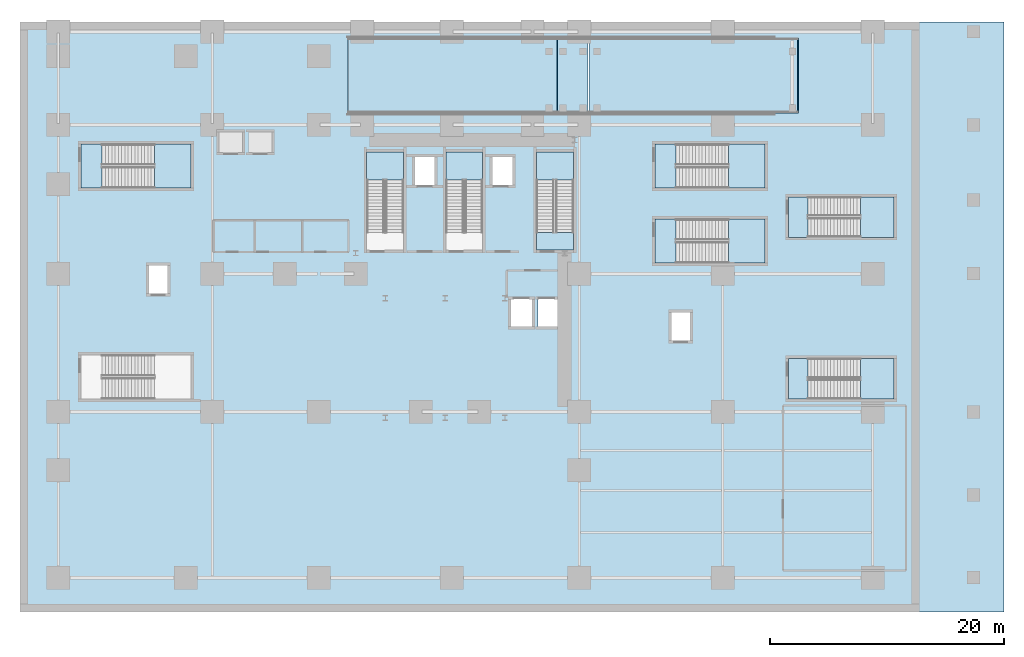
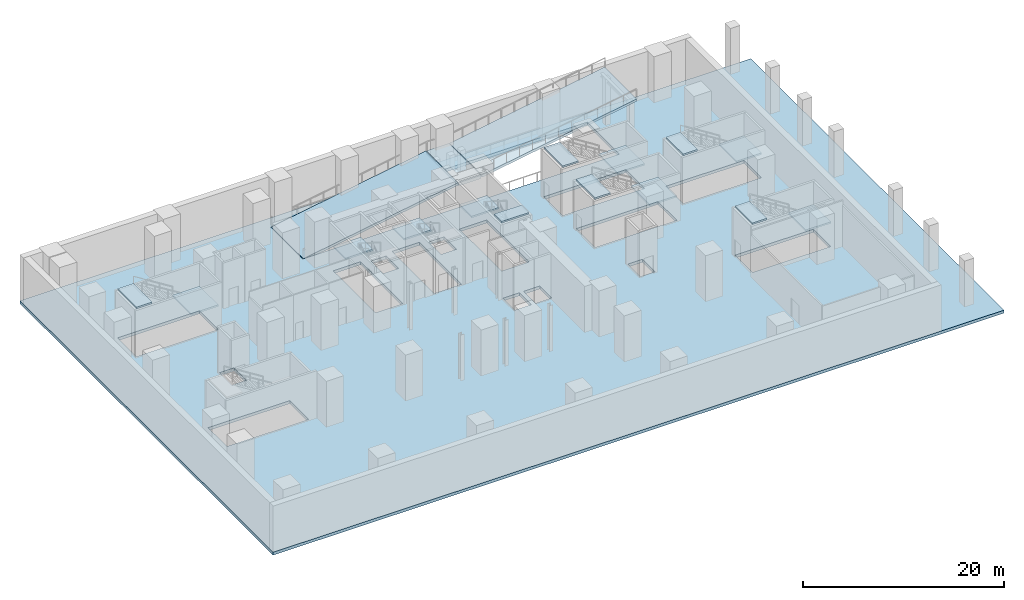
# One storey, part 3 of 16: 18 slabs, 8 elements without a shape of their own.
"""IFC4 building model written with IfcOpenShell, lengths in metres."""

from ifc_helpers import new_model, si_unit, direction, frame, origin, place, context, subcontext, project, spatial, polyline, outline, extrude, material, layer, layer_set, type_object, element, aggregate, save


model = new_model("IFC4")

# Units and contexts
model_context = context("Model", 3, precision=1e-05, world=origin(), true_north=direction((0.0, 1.0)))
body_context = subcontext(model_context, "Body", "Model", "MODEL_VIEW")
ifc_project = project(units=[si_unit("LENGTHUNIT", "METRE"), si_unit("AREAUNIT", "SQUARE_METRE"), si_unit("VOLUMEUNIT", "CUBIC_METRE"), si_unit("PLANEANGLEUNIT", "RADIAN"), si_unit("MASSUNIT", "GRAM", prefix="KILO")], contexts=[model_context])

# Site, building, storey
site_placement = place(None, origin())
site = spatial("IfcSite", under=ifc_project, at=site_placement, CompositionType="ELEMENT")
building_placement = place(site_placement, origin())
building = spatial("IfcBuilding", under=site, at=building_placement, Name="Vardaveli Station Tower", CompositionType="ELEMENT")
storey_placement = place(building_placement, frame((0.0, 0.0, -6.0)))
storey = spatial("IfcBuildingStorey", under=building, at=storey_placement, Name="B01", CompositionType="ELEMENT", Elevation=-6.0)

# Stair, slab
ifc_material_1 = material(Name="Concrete C40/50", Category="concrete")
stair_type_1 = type_object("IfcStairType", Name="STR-CORE-1500", PredefinedType="HALF_TURN_STAIR", material=ifc_material_1)
stair_1_placement = place(storey_placement, origin())
stair_1 = element("IfcStair", 1, at=stair_1_placement, inside=storey, type_object=stair_type_1, Name="B01 ST-1", PredefinedType="HALF_TURN_STAIR")
ifc_layer_1 = layer(ifc_material_1, 0.199951171875, Name="Concrete C40/50")
ifc_layer_set_1 = layer_set([ifc_layer_1], Name="Concrete C40/50")
slab_type_1 = type_object("IfcSlabType", Name="SLB-LAND-200", PredefinedType="LANDING", material=ifc_layer_set_1)
slab_1_placement = place(storey_placement, frame((0.0, 0.0, 2.800048828125)))
slab_1 = element("IfcSlab", 2, at=slab_1_placement, type_object=slab_type_1, Name="ST-1 landing 1", PredefinedType="LANDING", context=body_context, shape_type="SweptSolid", body=[
    extrude(outline(polyline([(32.75, 36.8798828125), (32.75, 39.300048828125), (29.60009765625, 39.300048828125), (29.60009765625, 36.8798828125), (32.75, 36.8798828125)])), origin(), (0.0, 0.0, 1.0), 0.199951171875),
])
aggregate(stair_1, [slab_1])

stair_2_placement = place(storey_placement, origin())
stair_2 = element("IfcStair", 3, at=stair_2_placement, inside=storey, type_object=stair_type_1, Name="B01 ST-2", PredefinedType="HALF_TURN_STAIR")
slab_2_placement = place(storey_placement, frame((0.0, 0.0, 2.800048828125)))
slab_2 = element("IfcSlab", 4, at=slab_2_placement, type_object=slab_type_1, Name="ST-2 landing 1", PredefinedType="LANDING", context=body_context, shape_type="SweptSolid", body=[
    extrude(outline(polyline([(39.5, 36.8798828125), (39.5, 39.300048828125), (36.35009765625, 39.300048828125), (36.35009765625, 36.8798828125), (39.5, 36.8798828125)])), origin(), (0.0, 0.0, 1.0), 0.199951171875),
])
aggregate(stair_2, [slab_2])

# Stair, slabs
stair_3_placement = place(storey_placement, origin())
stair_3 = element("IfcStair", 5, at=stair_3_placement, inside=storey, type_object=stair_type_1, Name="B01 ST-3", PredefinedType="HALF_TURN_STAIR")
slab_3_placement = place(storey_placement, frame((0.0, 0.0, 2.800048828125)))
slab_3 = element("IfcSlab", 6, at=slab_3_placement, type_object=slab_type_1, Name="ST-3 landing 1", PredefinedType="LANDING", context=body_context, shape_type="SweptSolid", body=[
    extrude(outline(polyline([(47.25, 36.8798828125), (47.25, 39.300048828125), (44.10009765625, 39.300048828125), (44.10009765625, 36.8798828125), (47.25, 36.8798828125)])), origin(), (0.0, 0.0, 1.0), 0.199951171875),
])
slab_4_placement = place(storey_placement, frame((0.0, 0.0, 5.800048828125)))
slab_4 = element("IfcSlab", 7, at=slab_4_placement, type_object=slab_type_1, Name="ST-3 landing 2", PredefinedType="LANDING", context=body_context, shape_type="SweptSolid", body=[
    extrude(outline(polyline([(47.25, 30.89990234375), (47.25, 32.39990234375), (44.10009765625, 32.39990234375), (44.10009765625, 30.89990234375), (47.25, 30.89990234375)])), origin(), (0.0, 0.0, 1.0), 0.199951171875),
])
aggregate(stair_3, [slab_3, slab_4])

stair_type_2 = type_object("IfcStairType", Name="STR-POD-1800", PredefinedType="HALF_TURN_STAIR", material=ifc_material_1)
stair_4_placement = place(storey_placement, origin())
stair_4 = element("IfcStair", 8, at=stair_4_placement, inside=storey, type_object=stair_type_2, Name="B01 ST-S2", PredefinedType="HALF_TURN_STAIR")
slab_5_placement = place(storey_placement, frame((0.0, 0.0, 2.800048828125)))
slab_5 = element("IfcSlab", 9, at=slab_5_placement, type_object=slab_type_1, Name="ST-S2 landing 1", PredefinedType="LANDING", context=body_context, shape_type="SweptSolid", body=[
    extrude(outline(polyline([(60.47998046875, 29.800048828125), (63.60009765625, 29.800048828125), (63.60009765625, 33.550048828125), (60.47998046875, 33.550048828125), (60.47998046875, 29.800048828125)])), origin(), (0.0, 0.0, 1.0), 0.199951171875),
])
slab_6_placement = place(storey_placement, frame((0.0, 0.0, 5.800048828125)))
slab_6 = element("IfcSlab", 10, at=slab_6_placement, type_object=slab_type_1, Name="ST-S2 landing 2", PredefinedType="LANDING", context=body_context, shape_type="SweptSolid", body=[
    extrude(outline(polyline([(54.199951171875, 29.800048828125), (56.0, 29.800048828125), (56.0, 33.550048828125), (54.199951171875, 33.550048828125), (54.199951171875, 29.800048828125)])), origin(), (0.0, 0.0, 1.0), 0.199951171875),
])
aggregate(stair_4, [slab_5, slab_6])

stair_5_placement = place(storey_placement, origin())
stair_5 = element("IfcStair", 11, at=stair_5_placement, inside=storey, type_object=stair_type_2, Name="B01 ST-P1", PredefinedType="HALF_TURN_STAIR")
slab_7_placement = place(storey_placement, frame((0.0, 0.0, 2.800048828125)))
slab_7 = element("IfcSlab", 12, at=slab_7_placement, type_object=slab_type_1, Name="ST-P1 landing 1", PredefinedType="LANDING", context=body_context, shape_type="SweptSolid", body=[
    extrude(outline(polyline([(11.47998046875, 36.199951171875), (14.60009765625, 36.199951171875), (14.60009765625, 39.949951171875), (11.47998046875, 39.949951171875), (11.47998046875, 36.199951171875)])), origin(), (0.0, 0.0, 1.0), 0.199951171875),
])
slab_8_placement = place(storey_placement, frame((0.0, 0.0, 5.800048828125)))
slab_8 = element("IfcSlab", 13, at=slab_8_placement, type_object=slab_type_1, Name="ST-P1 landing 2", PredefinedType="LANDING", context=body_context, shape_type="SweptSolid", body=[
    extrude(outline(polyline([(5.199951171875, 36.199951171875), (7.0, 36.199951171875), (7.0, 39.949951171875), (5.199951171875, 39.949951171875), (5.199951171875, 36.199951171875)])), origin(), (0.0, 0.0, 1.0), 0.199951171875),
])
aggregate(stair_5, [slab_7, slab_8])

stair_6_placement = place(storey_placement, origin())
stair_6 = element("IfcStair", 14, at=stair_6_placement, inside=storey, type_object=stair_type_2, Name="B01 ST-P2", PredefinedType="HALF_TURN_STAIR")
slab_9_placement = place(storey_placement, frame((0.0, 0.0, 2.800048828125)))
slab_9 = element("IfcSlab", 15, at=slab_9_placement, type_object=slab_type_1, Name="ST-P2 landing 1", PredefinedType="LANDING", context=body_context, shape_type="SweptSolid", body=[
    extrude(outline(polyline([(60.47998046875, 36.199951171875), (63.60009765625, 36.199951171875), (63.60009765625, 39.949951171875), (60.47998046875, 39.949951171875), (60.47998046875, 36.199951171875)])), origin(), (0.0, 0.0, 1.0), 0.199951171875),
])
slab_10_placement = place(storey_placement, frame((0.0, 0.0, 5.800048828125)))
slab_10 = element("IfcSlab", 16, at=slab_10_placement, type_object=slab_type_1, Name="ST-P2 landing 2", PredefinedType="LANDING", context=body_context, shape_type="SweptSolid", body=[
    extrude(outline(polyline([(54.199951171875, 36.199951171875), (56.0, 36.199951171875), (56.0, 39.949951171875), (54.199951171875, 39.949951171875), (54.199951171875, 36.199951171875)])), origin(), (0.0, 0.0, 1.0), 0.199951171875),
])
aggregate(stair_6, [slab_9, slab_10])

ifc_material_2 = material(Name="Structural steel S355J2", Category="steel")
stair_type_3 = type_object("IfcStairType", Name="STR-FEAT-1650", PredefinedType="STRAIGHT_RUN_STAIR", material=ifc_material_2)
stair_7_placement = place(storey_placement, origin())
stair_7 = element("IfcStair", 17, at=stair_7_placement, inside=storey, type_object=stair_type_3, Name="B01 ST-C1", PredefinedType="HALF_TURN_STAIR")
slab_11_placement = place(storey_placement, frame((0.0, 0.0, 2.800048828125)))
slab_11 = element("IfcSlab", 18, at=slab_11_placement, type_object=slab_type_1, Name="ST-C1 landing 1", PredefinedType="LANDING", context=body_context, shape_type="SweptSolid", body=[
    extrude(outline(polyline([(71.72998046875, 18.199951171875), (74.60009765625, 18.199951171875), (74.60009765625, 21.64990234375), (71.72998046875, 21.64990234375), (71.72998046875, 18.199951171875)])), origin(), (0.0, 0.0, 1.0), 0.199951171875),
])
slab_12_placement = place(storey_placement, frame((0.0, 0.0, 5.800048828125)))
slab_12 = element("IfcSlab", 19, at=slab_12_placement, type_object=slab_type_1, Name="ST-C1 landing 2", PredefinedType="LANDING", context=body_context, shape_type="SweptSolid", body=[
    extrude(outline(polyline([(65.60009765625, 18.199951171875), (67.25, 18.199951171875), (67.25, 21.64990234375), (65.60009765625, 21.64990234375), (65.60009765625, 18.199951171875)])), origin(), (0.0, 0.0, 1.0), 0.199951171875),
])
aggregate(stair_7, [slab_11, slab_12])

stair_8_placement = place(storey_placement, origin())
stair_8 = element("IfcStair", 20, at=stair_8_placement, inside=storey, type_object=stair_type_3, Name="B01 ST-C2", PredefinedType="HALF_TURN_STAIR")
slab_13_placement = place(storey_placement, frame((0.0, 0.0, 2.800048828125)))
slab_13 = element("IfcSlab", 21, at=slab_13_placement, type_object=slab_type_1, Name="ST-C2 landing 1", PredefinedType="LANDING", context=body_context, shape_type="SweptSolid", body=[
    extrude(outline(polyline([(71.72998046875, 32.0), (74.60009765625, 32.0), (74.60009765625, 35.449951171875), (71.72998046875, 35.449951171875), (71.72998046875, 32.0)])), origin(), (0.0, 0.0, 1.0), 0.199951171875),
])
slab_14_placement = place(storey_placement, frame((0.0, 0.0, 5.800048828125)))
slab_14 = element("IfcSlab", 22, at=slab_14_placement, type_object=slab_type_1, Name="ST-C2 landing 2", PredefinedType="LANDING", context=body_context, shape_type="SweptSolid", body=[
    extrude(outline(polyline([(65.60009765625, 32.0), (67.25, 32.0), (67.25, 35.449951171875), (65.60009765625, 35.449951171875), (65.60009765625, 32.0)])), origin(), (0.0, 0.0, 1.0), 0.199951171875),
])
aggregate(stair_8, [slab_13, slab_14])

# Slabs
ifc_layer_2 = layer(ifc_material_1, 0.360107421875, Name="Concrete C40/50")
ifc_layer_set_2 = layer_set([ifc_layer_2], Name="Concrete C40/50")
slab_type_2 = type_object("IfcSlabType", Name="SLB-PLAT-360", PredefinedType="FLOOR", material=ifc_layer_set_2)
slab_15_placement = place(storey_placement, frame((0.0, 0.0, -0.360107421875)))
element("IfcSlab", 23, at=slab_15_placement, inside=storey, type_object=slab_type_2, Name="SLB-B01-MAIN", PredefinedType="FLOOR", context=body_context, shape_type="SweptSolid", body=[
    extrude(outline(polyline([(0.0, 0.0), (84.0, 0.0), (84.0, 50.39990234375), (0.0, 50.39990234375), (0.0, 0.0)]), holes=[polyline([(32.75, 30.89990234375), (32.75, 39.300048828125), (29.60009765625, 39.300048828125), (29.60009765625, 30.89990234375), (32.75, 30.89990234375)]), polyline([(39.5, 30.89990234375), (39.5, 39.300048828125), (36.35009765625, 39.300048828125), (36.35009765625, 30.89990234375), (39.5, 30.89990234375)]), polyline([(47.25, 30.89990234375), (47.25, 39.300048828125), (44.10009765625, 39.300048828125), (44.10009765625, 30.89990234375), (47.25, 30.89990234375)]), polyline([(5.199951171875, 18.199951171875), (14.60009765625, 18.199951171875), (14.60009765625, 21.949951171875), (5.199951171875, 21.949951171875), (5.199951171875, 18.199951171875)]), polyline([(54.199951171875, 29.800048828125), (63.60009765625, 29.800048828125), (63.60009765625, 33.550048828125), (54.199951171875, 33.550048828125), (54.199951171875, 29.800048828125)]), polyline([(5.199951171875, 36.199951171875), (14.60009765625, 36.199951171875), (14.60009765625, 39.949951171875), (5.199951171875, 39.949951171875), (5.199951171875, 36.199951171875)]), polyline([(54.199951171875, 36.199951171875), (63.60009765625, 36.199951171875), (63.60009765625, 39.949951171875), (54.199951171875, 39.949951171875), (54.199951171875, 36.199951171875)]), polyline([(65.60009765625, 18.199951171875), (74.60009765625, 18.199951171875), (74.60009765625, 21.64990234375), (65.60009765625, 21.64990234375), (65.60009765625, 18.199951171875)]), polyline([(65.60009765625, 32.0), (74.60009765625, 32.0), (74.60009765625, 35.449951171875), (65.60009765625, 35.449951171875), (65.60009765625, 32.0)]), polyline([(10.9599609375, 27.159912109375), (12.639892578125, 27.159912109375), (12.639892578125, 29.639892578125), (10.9599609375, 29.639892578125), (10.9599609375, 27.159912109375)]), polyline([(55.56005859375, 23.159912109375), (57.239990234375, 23.159912109375), (57.239990234375, 25.639892578125), (55.56005859375, 25.639892578125), (55.56005859375, 23.159912109375)]), polyline([(33.659912109375, 36.409912109375), (35.43994140625, 36.409912109375), (35.43994140625, 38.889892578125), (33.659912109375, 38.889892578125), (33.659912109375, 36.409912109375)]), polyline([(40.31005859375, 36.409912109375), (42.090087890625, 36.409912109375), (42.090087890625, 38.889892578125), (40.31005859375, 38.889892578125), (40.31005859375, 36.409912109375)]), polyline([(41.860107421875, 24.360107421875), (43.739990234375, 24.360107421875), (43.739990234375, 26.739990234375), (41.860107421875, 26.739990234375), (41.860107421875, 24.360107421875)]), polyline([(44.2099609375, 24.360107421875), (46.090087890625, 24.360107421875), (46.090087890625, 26.739990234375), (44.2099609375, 26.739990234375), (44.2099609375, 24.360107421875)]), polyline([(28.0, 42.60009765625), (64.39990234375, 42.60009765625), (64.39990234375, 49.0), (28.0, 49.0), (28.0, 42.60009765625)])]), origin(), (0.0, 0.0, 1.0), 0.360107421875),
])
ifc_material_3 = material(Name="Concrete C50/60", Category="concrete")
ifc_layer_3 = layer(ifc_material_3, 0.39990234375, Name="Concrete C50/60")
ifc_layer_set_3 = layer_set([ifc_layer_3], Name="Concrete C50/60")
slab_type_3 = type_object("IfcSlabType", Name="SLB-TRANS-400", PredefinedType="FLOOR", material=ifc_layer_set_3)
slab_16_placement = place(storey_placement, frame((0.0, 0.0, 2.60009765625)))
element("IfcSlab", 24, at=slab_16_placement, inside=storey, type_object=slab_type_3, Name="Vehicle Parking Ramp Landing Slab RMP-VEH-01-LND", PredefinedType="FLOOR", context=body_context, shape_type="SweptSolid", body=[
    extrude(outline(polyline([(45.89990234375, 42.60009765625), (48.5, 42.60009765625), (48.5, 49.0), (45.89990234375, 49.0), (45.89990234375, 42.60009765625)])), origin(), (0.0, 0.0, 1.0), 0.39990234375),
])
ifc_layer_4 = layer(ifc_material_1, 0.300048828125, Name="Concrete C40/50")
ifc_layer_set_4 = layer_set([ifc_layer_4], Name="Concrete C40/50")
slab_type_4 = type_object("IfcSlabType", Name="SLB-VEHRAMP-300", PredefinedType="FLOOR", material=ifc_layer_set_4)
slab_17_placement = place(storey_placement, frame((48.56005859375, 42.60009765625, 3.0), z_axis=(-0.165924995676, 0.0, 0.986138375589), x_axis=(0.986138375589, 0.0, 0.165924995676)))
element("IfcSlab", 25, at=slab_17_placement, inside=storey, type_object=slab_type_4, Name="Vehicle Parking Ramp Slab RMP-VEH-01-F1", PredefinedType="FLOOR", context=body_context, shape_type="SweptSolid", body=[
    extrude(outline(polyline([(0.0, 0.0), (18.08056640625, 0.0), (18.08056640625, 6.39990234375), (0.0, 6.39990234375), (0.0, 0.0)])), origin(), (0.0, 0.0, -1.0), 0.300048828125),
])
slab_18_placement = place(storey_placement, frame((28.06005859375, 42.60009765625, 0.0), z_axis=(-0.16637692966, 0.0, 0.986062227893), x_axis=(0.986062227893, 0.0, 0.16637692966)))
element("IfcSlab", 26, at=slab_18_placement, inside=storey, type_object=slab_type_4, Name="Vehicle Parking Ramp Slab RMP-VEH-01-F2", PredefinedType="FLOOR", context=body_context, shape_type="SweptSolid", body=[
    extrude(outline(polyline([(0.0, 0.0), (18.03125, 0.0), (18.03125, 6.39990234375), (0.0, 6.39990234375), (0.0, 0.0)])), origin(), (0.0, 0.0, -1.0), 0.300048828125),
])

save(model, "model.ifc")
